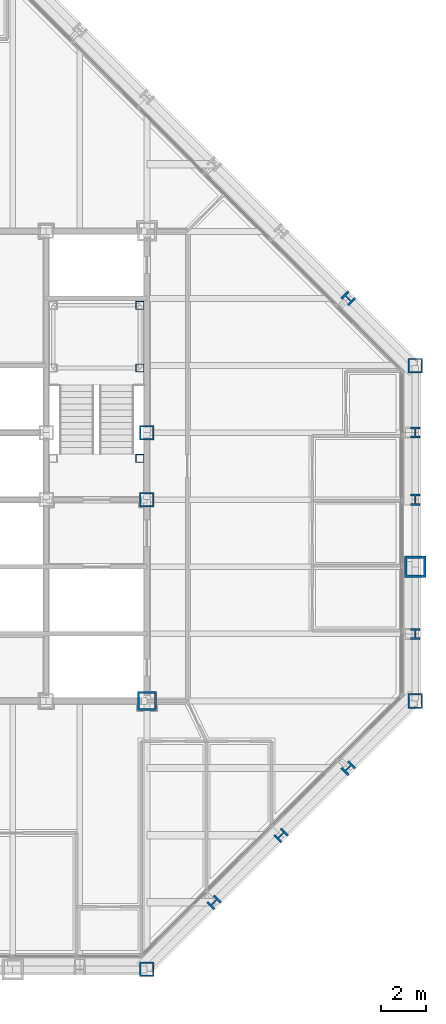
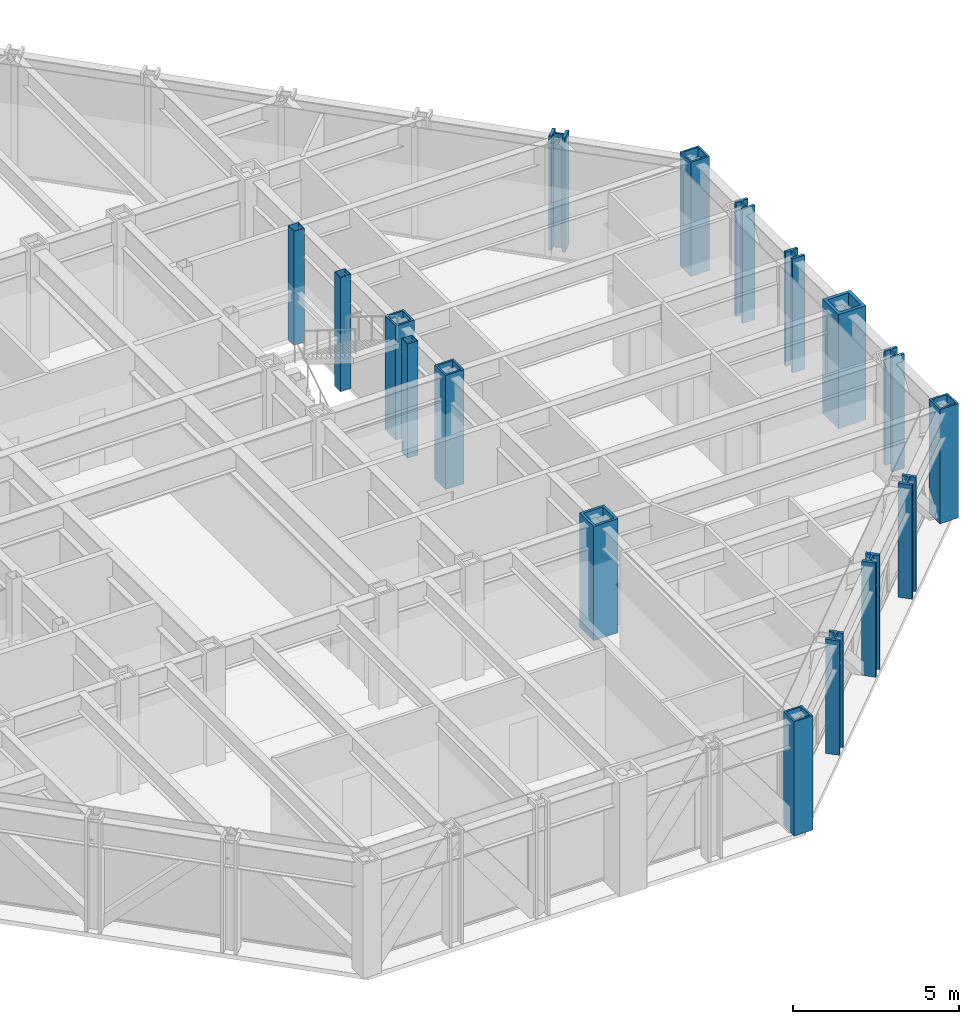
# One storey, part 3 of 16: 17 columns.
"""IFC4 building model written with IfcOpenShell, lengths in metres."""

from ifc_helpers import new_model, si_unit, direction, frame, origin, origin_2d, place, context, subcontext, project, spatial, hollow_rectangle, i_section, extrude, material, material_profile, profile_set, type_object, element, save


model = new_model("IFC4")

# Units and contexts
model_context = context("Model", 3, precision=1e-05, world=origin(), true_north=direction((0.0, 1.0)))
body_context = subcontext(model_context, "Body", "Model", "MODEL_VIEW")
ifc_project = project(units=[si_unit("LENGTHUNIT", "METRE"), si_unit("AREAUNIT", "SQUARE_METRE"), si_unit("VOLUMEUNIT", "CUBIC_METRE"), si_unit("PLANEANGLEUNIT", "RADIAN"), si_unit("MASSUNIT", "GRAM", prefix="KILO")], contexts=[model_context])

# Site, building, storey
site_placement = place(None, origin())
site = spatial("IfcSite", under=ifc_project, at=site_placement, CompositionType="ELEMENT")
building_placement = place(site_placement, origin())
building = spatial("IfcBuilding", under=site, at=building_placement, Name="Chuquiago Exchange Tower", CompositionType="ELEMENT")
storey_placement = place(building_placement, frame((0.0, 0.0, 213.89990234375)))
storey = spatial("IfcBuildingStorey", under=building, at=storey_placement, Name="L47", CompositionType="ELEMENT", Elevation=213.89990234375)

# Columns
ifc_material_1 = material(Name="Steel ASTM A992", Category="steel")
ifc_material_profile_1 = material_profile(ifc_material_1, i_section(OverallWidth=0.431884765625, OverallDepth=0.497802734375, WebThickness=0.0556640625, FlangeThickness=0.0888671875, at=origin_2d()), Name="W14X500")
ifc_profile_set_1 = profile_set([ifc_material_profile_1], Name="Steel ASTM A992")
column_type_1 = type_object("IfcColumnType", Name="C4 W14X500", PredefinedType="COLUMN", material=ifc_profile_set_1)
for number, where, z_axis, x_axis, name in (
    (1, (45.0, 15.0, 0.0), (0.0, 0.0, 1.0), (1.0, 0.0, 0.0), "COL-L47-45_15"),
    (2, (45.0, 21.0, 0.0), (0.0, 0.0, 1.0), (1.0, 0.0, 0.0), "COL-L47-45_21"),
    (3, (45.0, 24.0, 0.0), (0.0, 0.0, 1.0), (1.0, 0.0, 0.0), "COL-L47-45_24"),
):
    element("IfcColumn", number, at=place(storey_placement, frame(where, z_axis=z_axis, x_axis=x_axis)), inside=storey, type_object=column_type_1, Name=name, PredefinedType="COLUMN", context=body_context, shape_type="SweptSolid", body=[
        extrude(i_section(OverallWidth=0.431884765625, OverallDepth=0.497802734375, WebThickness=0.0556640625, FlangeThickness=0.0888671875, at=origin_2d()), origin(), (0.0, 0.0, 1.0), 4.2001953125),
    ])
ifc_material_2 = material(Name="Steel ASTM A572 Grade 50", Category="steel")
ifc_material_profile_2 = material_profile(ifc_material_2, hollow_rectangle(XDim=0.64990234375, YDim=0.64990234375, WallThickness=0.06494140625, at=origin_2d()), Name="BOX650X650X65")
ifc_profile_set_2 = profile_set([ifc_material_profile_2], Name="Steel ASTM A572 Grade 50")
column_type_2 = type_object("IfcColumnType", Name="CC4 BOX650X650X65", PredefinedType="COLUMN", material=ifc_profile_set_2)
for number, where, z_axis, x_axis, name in (
    (4, (33.0, 21.0, 0.0), (0.0, 0.0, 1.0), (1.0, 0.0, 0.0), "CCOL-L47-33_21"),
    (5, (33.0, 24.0, 0.0), (0.0, 0.0, 1.0), (1.0, 0.0, 0.0), "CCOL-L47-33_24"),
):
    element("IfcColumn", number, at=place(storey_placement, frame(where, z_axis=z_axis, x_axis=x_axis)), inside=storey, type_object=column_type_2, Name=name, PredefinedType="COLUMN", context=body_context, shape_type="SweptSolid", body=[
        extrude(hollow_rectangle(XDim=0.64990234375, YDim=0.64990234375, WallThickness=0.06494140625, at=origin_2d()), origin(), (0.0, 0.0, 1.0), 4.2001953125),
    ])
ifc_material_3 = material(Name="Steel ASTM A572 Grade 50", Category="steel")
ifc_material_profile_3 = material_profile(ifc_material_3, hollow_rectangle(XDim=0.85009765625, YDim=0.85009765625, WallThickness=0.0849609375, at=origin_2d()), Name="BOX850X850X85")
ifc_profile_set_3 = profile_set([ifc_material_profile_3], Name="Steel ASTM A572 Grade 50")
column_type_3 = type_object("IfcColumnType", Name="CC6 BOX850X850X85", PredefinedType="COLUMN", material=ifc_profile_set_3)
column_1_placement = place(storey_placement, frame((33.0, 12.0, 0.0), z_axis=(0.0, 0.0, 1.0), x_axis=(1.0, 0.0, 0.0)))
element("IfcColumn", 6, at=column_1_placement, inside=storey, type_object=column_type_3, Name="CCOL-L47-33_12", PredefinedType="COLUMN", context=body_context, shape_type="SweptSolid", body=[
    extrude(hollow_rectangle(XDim=0.85009765625, YDim=0.85009765625, WallThickness=0.0849609375, at=origin_2d()), origin(), (0.0, 0.0, 1.0), 4.2001953125),
])
ifc_material_4 = material(Name="Steel ASTM A992", Category="steel")
ifc_material_profile_4 = material_profile(ifc_material_4, i_section(OverallWidth=0.436767578125, OverallDepth=0.51318359375, WebThickness=0.060546875, FlangeThickness=0.096923828125, at=origin_2d()), Name="W14X550")
ifc_profile_set_4 = profile_set([ifc_material_profile_4], Name="Steel ASTM A992")
column_type_4 = type_object("IfcColumnType", Name="CK4 W14X550", PredefinedType="COLUMN", material=ifc_profile_set_4)
for number, where, z_axis, x_axis, name in (
    (7, (36.0, 3.0, 0.0), (0.0, 0.0, 1.0), (0.707106781187, -0.707106781187, 0.0), "COL-L47-36_3"),
    (8, (39.0, 6.0, 0.0), (0.0, 0.0, 1.0), (0.707106781187, -0.707106781187, 0.0), "COL-L47-39_6"),
    (9, (42.0, 9.0, 0.0), (0.0, 0.0, 1.0), (0.707106781187, -0.707106781187, 0.0), "COL-L47-42_9"),
    (10, (42.0, 30.0, 0.0), (0.0, 0.0, 1.0), (0.707106781187, 0.707106781187, 0.0), "COL-L47-42_30"),
):
    element("IfcColumn", number, at=place(storey_placement, frame(where, z_axis=z_axis, x_axis=x_axis)), inside=storey, type_object=column_type_4, Name=name, PredefinedType="COLUMN", context=body_context, shape_type="SweptSolid", body=[
        extrude(i_section(OverallWidth=0.436767578125, OverallDepth=0.51318359375, WebThickness=0.060546875, FlangeThickness=0.096923828125, at=origin_2d()), origin(), (0.0, 0.0, 1.0), 4.2001953125),
    ])
ifc_material_5 = material(Name="Steel ASTM A572 Grade 50", Category="steel")
ifc_material_profile_5 = material_profile(ifc_material_5, hollow_rectangle(XDim=0.64990234375, YDim=0.64990234375, WallThickness=0.06494140625, at=origin_2d()), Name="BOX650X650X65")
ifc_profile_set_5 = profile_set([ifc_material_profile_5], Name="Steel ASTM A572 Grade 50")
column_type_5 = type_object("IfcColumnType", Name="CN2 BOX650X650X65", PredefinedType="COLUMN", material=ifc_profile_set_5)
for number, where, z_axis, x_axis, name in (
    (11, (33.0, 0.0, 0.0), (0.0, 0.0, 1.0), (0.0, -1.0, 0.0), "COL-L47-33_0"),
    (12, (45.0, 12.0, 0.0), (0.0, 0.0, 1.0), (1.0, 0.0, 0.0), "COL-L47-45_12"),
    (13, (45.0, 27.0, 0.0), (0.0, 0.0, 1.0), (1.0, 0.0, 0.0), "COL-L47-45_27"),
):
    element("IfcColumn", number, at=place(storey_placement, frame(where, z_axis=z_axis, x_axis=x_axis)), inside=storey, type_object=column_type_5, Name=name, PredefinedType="COLUMN", context=body_context, shape_type="SweptSolid", body=[
        extrude(hollow_rectangle(XDim=0.64990234375, YDim=0.64990234375, WallThickness=0.06494140625, at=origin_2d()), origin(), (0.0, 0.0, 1.0), 4.2001953125),
    ])
ifc_material_6 = material(Name="Steel ASTM A572 Grade 42", Category="steel")
ifc_material_profile_6 = material_profile(ifc_material_6, hollow_rectangle(XDim=0.949951171875, YDim=0.949951171875, WallThickness=0.110107421875, at=origin_2d()), Name="BOX950X950X110")
ifc_profile_set_6 = profile_set([ifc_material_profile_6], Name="Steel ASTM A572 Grade 42")
column_type_6 = type_object("IfcColumnType", Name="CT1 BOX950X950X110", PredefinedType="COLUMN", material=ifc_profile_set_6)
column_2_placement = place(storey_placement, frame((45.0, 18.0, 0.0), z_axis=(0.0, 0.0, 1.0), x_axis=(1.0, 0.0, 0.0)))
element("IfcColumn", 14, at=column_2_placement, inside=storey, type_object=column_type_6, Name="COL-L47-45_18", PredefinedType="COLUMN", context=body_context, shape_type="SweptSolid", body=[
    extrude(hollow_rectangle(XDim=0.949951171875, YDim=0.949951171875, WallThickness=0.110107421875, at=origin_2d()), origin(), (0.0, 0.0, 1.0), 4.2001953125),
])
ifc_material_7 = material(Name="Steel ASTM A500 Grade C", Category="steel")
ifc_material_profile_7 = material_profile(ifc_material_7, hollow_rectangle(XDim=0.355712890625, YDim=0.355712890625, WallThickness=0.0087890625, at=origin_2d()), Name="HSS14X14X3/8")
ifc_profile_set_7 = profile_set([ifc_material_profile_7], Name="Steel ASTM A500 Grade C")
column_type_7 = type_object("IfcColumnType", Name="PT1 HSS14X14X3/8", PredefinedType="COLUMN", material=ifc_profile_set_7)
for number, where, z_axis, x_axis, name in (
    (15, (32.68994140625, 29.68994140625, 0.0), (0.0, 0.0, 1.0), (1.0, 0.0, 0.0), "Stair ST2 L47 landing post"),
    (16, (32.68994140625, 26.889892578125, 0.0), (0.0, 0.0, 1.0), (1.0, 0.0, 0.0), "Stair ST2 L47 landing post"),
    (17, (32.68994140625, 22.85009765625, 0.0), (0.0, 0.0, 1.0), (1.0, 0.0, 0.0), "Stair ST2 L47 landing post"),
):
    element("IfcColumn", number, at=place(storey_placement, frame(where, z_axis=z_axis, x_axis=x_axis)), inside=storey, type_object=column_type_7, Name=name, PredefinedType="COLUMN", context=body_context, shape_type="SweptSolid", body=[
        extrude(hollow_rectangle(XDim=0.355712890625, YDim=0.355712890625, WallThickness=0.0087890625, at=origin_2d()), origin(), (0.0, 0.0, 1.0), 4.2001953125),
    ])

save(model, "model.ifc")
